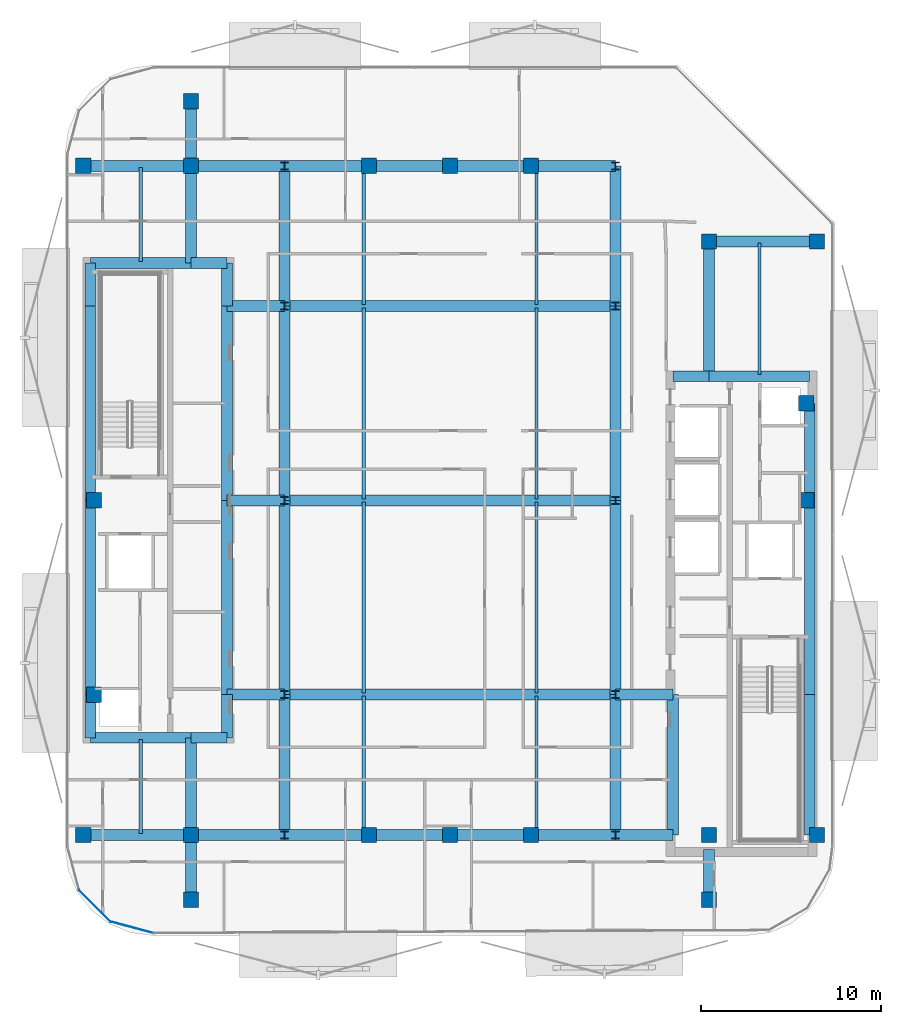
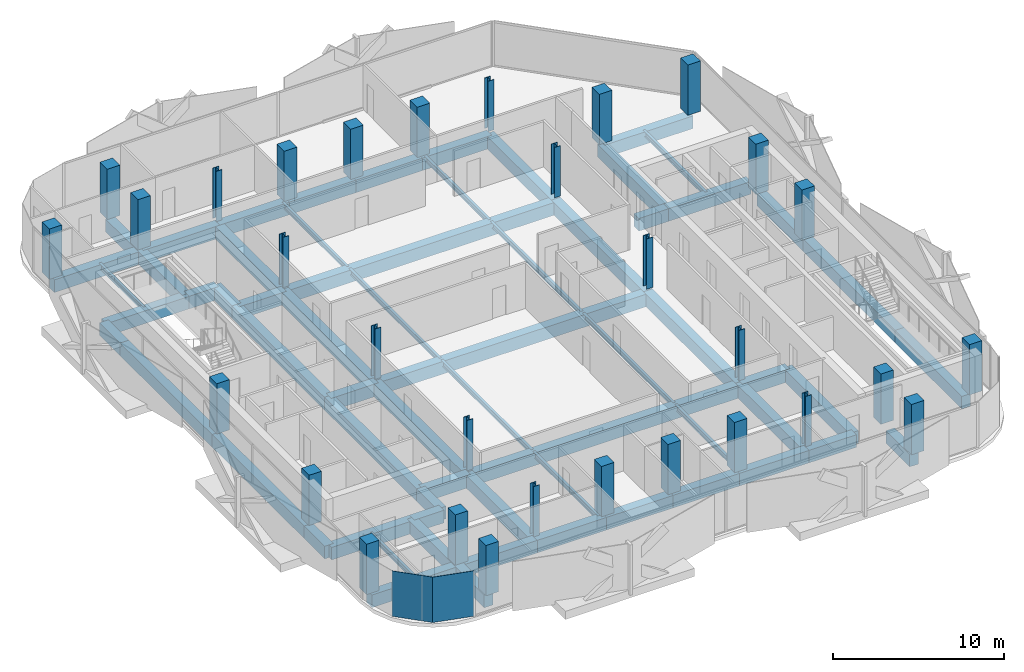
# One storey, part 1 of 15: 64 beams, 31 columns, 2 plates.
"""IFC4 building model written with IfcOpenShell, lengths in metres."""

from ifc_helpers import new_model, si_unit, direction, frame, origin, origin_2d, place, context, subcontext, project, spatial, rectangle, i_section, extrude, material, layer, layer_set, material_profile, profile_set, type_object, element, save


model = new_model("IFC4")

# Units and contexts
model_context = context("Model", 3, precision=1e-05, world=origin(), true_north=direction((0.0, 1.0)))
body_context = subcontext(model_context, "Body", "Model", "MODEL_VIEW")
ifc_project = project(units=[si_unit("LENGTHUNIT", "METRE"), si_unit("AREAUNIT", "SQUARE_METRE"), si_unit("VOLUMEUNIT", "CUBIC_METRE"), si_unit("PLANEANGLEUNIT", "RADIAN"), si_unit("MASSUNIT", "GRAM", prefix="KILO")], contexts=[model_context])

# Site, building, storey
site_placement = place(None, origin())
site = spatial("IfcSite", under=ifc_project, at=site_placement, CompositionType="ELEMENT")
building_placement = place(site_placement, origin())
building = spatial("IfcBuilding", under=site, at=building_placement, Name="Khairoan Windgate Tower", CompositionType="ELEMENT")
storey_placement = place(building_placement, frame((0.0, 0.0, 269.199951171875)))
storey = spatial("IfcBuildingStorey", under=building, at=storey_placement, Name="L64", CompositionType="ELEMENT", Elevation=269.199951171875)

# Columns
ifc_material_1 = material(Name="Concrete C50/60", Category="concrete")
ifc_material_profile_1 = material_profile(ifc_material_1, rectangle(XDim=0.85009765625, YDim=0.85009765625, at=origin_2d()))
ifc_profile_set_1 = profile_set([ifc_material_profile_1], Name="Concrete C50/60")
column_type_1 = type_object("IfcColumnType", Name="Column C-T5 RC850x850", PredefinedType="COLUMN", material=ifc_profile_set_1)
for number, where, z_axis, x_axis, name in (
    (1, (-20.39990234375, -18.60009765625, 0.0), (0.0, 0.0, 1.0), (1.0, 0.0, 0.0), "Column L64-11"),
    (2, (-20.39990234375, 18.60009765625, 0.0), (0.0, 0.0, 1.0), (1.0, 0.0, 0.0), "Column L64-12"),
    (3, (20.39990234375, -18.60009765625, 0.0), (0.0, 0.0, 1.0), (1.0, 0.0, 0.0), "Column L64-13"),
    (4, (20.39990234375, 14.39990234375, 0.0), (0.0, 0.0, 1.0), (1.0, 0.0, 0.0), "Column L64-14"),
    (5, (-14.39990234375, -18.60009765625, 0.0), (0.0, 0.0, 1.0), (1.0, 0.0, 0.0), "Column L64-15"),
    (6, (-14.39990234375, 18.60009765625, 0.0), (0.0, 0.0, 1.0), (1.0, 0.0, 0.0), "Column L64-16"),
    (7, (14.39990234375, -18.60009765625, 0.0), (0.0, 0.0, 1.0), (1.0, 0.0, 0.0), "Column L64-17"),
    (8, (14.39990234375, 14.39990234375, 0.0), (0.0, 0.0, 1.0), (1.0, 0.0, 0.0), "Column L64-18"),
    (9, (-4.5, -18.60009765625, 0.0), (0.0, 0.0, 1.0), (1.0, 0.0, 0.0), "Column L64-19"),
    (10, (0.0, -18.60009765625, 0.0), (0.0, 0.0, 1.0), (1.0, 0.0, 0.0), "Column L64-20"),
    (11, (4.5, -18.60009765625, 0.0), (0.0, 0.0, 1.0), (1.0, 0.0, 0.0), "Column L64-21"),
    (12, (-4.5, 18.60009765625, 0.0), (0.0, 0.0, 1.0), (1.0, 0.0, 0.0), "Column L64-22"),
    (13, (0.0, 18.60009765625, 0.0), (0.0, 0.0, 1.0), (1.0, 0.0, 0.0), "Column L64-23"),
    (14, (4.5, 18.60009765625, 0.0), (0.0, 0.0, 1.0), (1.0, 0.0, 0.0), "Column L64-24"),
    (15, (-19.800048828125, -10.800048828125, 0.0), (0.0, 0.0, 1.0), (1.0, 0.0, 0.0), "Column L64-25"),
    (16, (-19.800048828125, 0.0, 0.0), (0.0, 0.0, 1.0), (1.0, 0.0, 0.0), "Column L64-26"),
    (17, (19.800048828125, 0.0, 0.0), (0.0, 0.0, 1.0), (1.0, 0.0, 0.0), "Column L64-27"),
    (18, (19.800048828125, 5.39990234375, 0.0), (0.0, 0.0, 1.0), (1.0, 0.0, 0.0), "Column L64-28"),
    (19, (-14.39990234375, -22.199951171875, 0.0), (0.0, 0.0, 1.0), (1.0, 0.0, 0.0), "Column L64-29"),
    (20, (-14.39990234375, 22.199951171875, 0.0), (0.0, 0.0, 1.0), (1.0, 0.0, 0.0), "Column L64-30"),
    (21, (14.39990234375, -22.199951171875, 0.0), (0.0, 0.0, 1.0), (1.0, 0.0, 0.0), "Column L64-31"),
):
    element("IfcColumn", number, at=place(storey_placement, frame(where, z_axis=z_axis, x_axis=x_axis)), inside=storey, type_object=column_type_1, Name=name, PredefinedType="COLUMN", context=body_context, shape_type="SweptSolid", body=[
        extrude(rectangle(XDim=0.85009765625, YDim=0.85009765625, at=origin_2d()), origin(), (0.0, 0.0, 1.0), 3.60009765625),
    ])
ifc_material_2 = material(Name="Steel S355", Category="steel")
ifc_material_profile_2 = material_profile(ifc_material_2, i_section(OverallWidth=0.406982421875, OverallDepth=0.427978515625, WebThickness=0.02001953125, FlangeThickness=0.034912109375, FilletRadius=0.02197265625, at=origin_2d()))
ifc_profile_set_2 = profile_set([ifc_material_profile_2], Name="Steel S355")
column_type_2 = type_object("IfcColumnType", Name="Steel Column SC3 H428x407x20x35", PredefinedType="COLUMN", material=ifc_profile_set_2)
for number, where, z_axis, x_axis, name in (
    (22, (-9.199951171875, -18.60009765625, 0.0), (0.0, 0.0, 1.0), (1.0, 0.0, 0.0), "Column L64-01"),
    (23, (-9.199951171875, -10.800048828125, 0.0), (0.0, 0.0, 1.0), (1.0, 0.0, 0.0), "Column L64-02"),
    (24, (-9.199951171875, 0.0, 0.0), (0.0, 0.0, 1.0), (1.0, 0.0, 0.0), "Column L64-03"),
    (25, (-9.199951171875, 10.800048828125, 0.0), (0.0, 0.0, 1.0), (1.0, 0.0, 0.0), "Column L64-04"),
    (26, (-9.199951171875, 18.60009765625, 0.0), (0.0, 0.0, 1.0), (1.0, 0.0, 0.0), "Column L64-05"),
    (27, (9.199951171875, -18.60009765625, 0.0), (0.0, 0.0, 1.0), (1.0, 0.0, 0.0), "Column L64-06"),
    (28, (9.199951171875, -10.800048828125, 0.0), (0.0, 0.0, 1.0), (1.0, 0.0, 0.0), "Column L64-07"),
    (29, (9.199951171875, 0.0, 0.0), (0.0, 0.0, 1.0), (1.0, 0.0, 0.0), "Column L64-08"),
    (30, (9.199951171875, 10.800048828125, 0.0), (0.0, 0.0, 1.0), (1.0, 0.0, 0.0), "Column L64-09"),
    (31, (9.199951171875, 18.60009765625, 0.0), (0.0, 0.0, 1.0), (1.0, 0.0, 0.0), "Column L64-10"),
):
    element("IfcColumn", number, at=place(storey_placement, frame(where, z_axis=z_axis, x_axis=x_axis)), inside=storey, type_object=column_type_2, Name=name, PredefinedType="COLUMN", context=body_context, shape_type="SweptSolid", body=[
        extrude(i_section(OverallWidth=0.406982421875, OverallDepth=0.427978515625, WebThickness=0.02001953125, FlangeThickness=0.034912109375, FilletRadius=0.02197265625, at=origin_2d()), origin(), (0.0, 0.0, 1.0), 3.60009765625),
    ])

# Beams
ifc_material_3 = material(Name="Concrete C50/60", Category="concrete")
ifc_material_profile_3 = material_profile(ifc_material_3, rectangle(XDim=0.60009765625, YDim=0.89990234375, at=origin_2d()))
ifc_profile_set_3 = profile_set([ifc_material_profile_3], Name="Concrete C50/60")
beam_type_1 = type_object("IfcBeamType", Name="Beam B-RC1 RC600x900", PredefinedType="BEAM", material=ifc_profile_set_3)
beam_1_placement = place(storey_placement, frame((-20.39990234375, -18.60009765625, -0.7099609375), z_axis=(1.0, 0.0, 0.0), x_axis=(0.0, 1.0, 0.0)))
element("IfcBeam", 32, at=beam_1_placement, inside=storey, type_object=beam_type_1, Name="L64 E-W Primary Girder 01", PredefinedType="BEAM", context=body_context, shape_type="SweptSolid", body=[
    extrude(rectangle(XDim=0.60009765625, YDim=0.89990234375, at=origin_2d()), origin(), (0.0, 0.0, 1.0), 6.0),
])
beam_2_placement = place(storey_placement, frame((-14.39990234375, -18.60009765625, -0.7099609375), z_axis=(1.0, 0.0, 0.0), x_axis=(0.0, 1.0, 0.0)))
element("IfcBeam", 33, at=beam_2_placement, inside=storey, type_object=beam_type_1, Name="L64 E-W Primary Girder 02", PredefinedType="BEAM", context=body_context, shape_type="SweptSolid", body=[
    extrude(rectangle(XDim=0.60009765625, YDim=0.89990234375, at=origin_2d()), origin(), (0.0, 0.0, 1.0), 5.199951171875),
])
beam_3_placement = place(storey_placement, frame((-9.199951171875, -18.60009765625, -0.7099609375), z_axis=(1.0, 0.0, 0.0), x_axis=(0.0, 1.0, 0.0)))
element("IfcBeam", 34, at=beam_3_placement, inside=storey, type_object=beam_type_1, Name="L64 E-W Primary Girder 03", PredefinedType="BEAM", context=body_context, shape_type="SweptSolid", body=[
    extrude(rectangle(XDim=0.60009765625, YDim=0.89990234375, at=origin_2d()), origin(), (0.0, 0.0, 1.0), 4.699951171875),
])
for number, where, z_axis, x_axis, name in (
    (35, (-4.5, -18.60009765625, -0.7099609375), (1.0, 0.0, 0.0), (0.0, 1.0, 0.0), "L64 E-W Primary Girder 04"),
    (36, (0.0, -18.60009765625, -0.7099609375), (1.0, 0.0, 0.0), (0.0, 1.0, 0.0), "L64 E-W Primary Girder 05"),
):
    element("IfcBeam", number, at=place(storey_placement, frame(where, z_axis=z_axis, x_axis=x_axis)), inside=storey, type_object=beam_type_1, Name=name, PredefinedType="BEAM", context=body_context, shape_type="SweptSolid", body=[
        extrude(rectangle(XDim=0.60009765625, YDim=0.89990234375, at=origin_2d()), origin(), (0.0, 0.0, 1.0), 4.5),
    ])
beam_4_placement = place(storey_placement, frame((4.5, -18.60009765625, -0.7099609375), z_axis=(1.0, 0.0, 0.0), x_axis=(0.0, 1.0, 0.0)))
element("IfcBeam", 37, at=beam_4_placement, inside=storey, type_object=beam_type_1, Name="L64 E-W Primary Girder 06", PredefinedType="BEAM", context=body_context, shape_type="SweptSolid", body=[
    extrude(rectangle(XDim=0.60009765625, YDim=0.89990234375, at=origin_2d()), origin(), (0.0, 0.0, 1.0), 4.699951171875),
])
beam_5_placement = place(storey_placement, frame((9.199951171875, -18.60009765625, -0.7099609375), z_axis=(1.0, 0.0, 0.0), x_axis=(0.0, 1.0, 0.0)))
element("IfcBeam", 38, at=beam_5_placement, inside=storey, type_object=beam_type_1, Name="L64 E-W Primary Girder 07", PredefinedType="BEAM", context=body_context, shape_type="SweptSolid", body=[
    extrude(rectangle(XDim=0.60009765625, YDim=0.89990234375, at=origin_2d()), origin(), (0.0, 0.0, 1.0), 3.199951171875),
])
beam_6_placement = place(storey_placement, frame((-20.0, -13.199951171875, -0.7099609375), z_axis=(1.0, 0.0, 0.0), x_axis=(0.0, 1.0, 0.0)))
element("IfcBeam", 39, at=beam_6_placement, inside=storey, type_object=beam_type_1, Name="L64 E-W Primary Girder 08", PredefinedType="BEAM", context=body_context, shape_type="SweptSolid", body=[
    extrude(rectangle(XDim=0.60009765625, YDim=0.89990234375, at=origin_2d()), origin(), (0.0, 0.0, 1.0), 5.60009765625),
])
beam_7_placement = place(storey_placement, frame((-14.39990234375, -13.199951171875, -0.7099609375), z_axis=(1.0, 0.0, 0.0), x_axis=(0.0, 1.0, 0.0)))
element("IfcBeam", 40, at=beam_7_placement, inside=storey, type_object=beam_type_1, Name="L64 E-W Primary Girder 09", PredefinedType="BEAM", context=body_context, shape_type="SweptSolid", body=[
    extrude(rectangle(XDim=0.60009765625, YDim=0.89990234375, at=origin_2d()), origin(), (0.0, 0.0, 1.0), 2.0),
])
beam_8_placement = place(storey_placement, frame((-12.39990234375, -10.800048828125, -0.7099609375), z_axis=(1.0, 0.0, 0.0), x_axis=(0.0, 1.0, 0.0)))
element("IfcBeam", 41, at=beam_8_placement, inside=storey, type_object=beam_type_1, Name="L64 E-W Primary Girder 10", PredefinedType="BEAM", context=body_context, shape_type="SweptSolid", body=[
    extrude(rectangle(XDim=0.60009765625, YDim=0.89990234375, at=origin_2d()), origin(), (0.0, 0.0, 1.0), 3.199951171875),
])
beam_9_placement = place(storey_placement, frame((-9.199951171875, -10.800048828125, -0.7099609375), z_axis=(1.0, 0.0, 0.0), x_axis=(0.0, 1.0, 0.0)))
element("IfcBeam", 42, at=beam_9_placement, inside=storey, type_object=beam_type_1, Name="L64 E-W Primary Girder 11", PredefinedType="BEAM", context=body_context, shape_type="SweptSolid", body=[
    extrude(rectangle(XDim=0.60009765625, YDim=0.89990234375, at=origin_2d()), origin(), (0.0, 0.0, 1.0), 18.39990234375),
])
for number, where, z_axis, x_axis, name in (
    (43, (9.199951171875, -10.800048828125, -0.7099609375), (1.0, 0.0, 0.0), (0.0, 1.0, 0.0), "L64 E-W Primary Girder 12"),
    (44, (-12.39990234375, 0.0, -0.7099609375), (1.0, 0.0, 0.0), (0.0, 1.0, 0.0), "L64 E-W Primary Girder 13"),
):
    element("IfcBeam", number, at=place(storey_placement, frame(where, z_axis=z_axis, x_axis=x_axis)), inside=storey, type_object=beam_type_1, Name=name, PredefinedType="BEAM", context=body_context, shape_type="SweptSolid", body=[
        extrude(rectangle(XDim=0.60009765625, YDim=0.89990234375, at=origin_2d()), origin(), (0.0, 0.0, 1.0), 3.199951171875),
    ])
beam_10_placement = place(storey_placement, frame((-9.199951171875, 0.0, -0.7099609375), z_axis=(1.0, 0.0, 0.0), x_axis=(0.0, 1.0, 0.0)))
element("IfcBeam", 45, at=beam_10_placement, inside=storey, type_object=beam_type_1, Name="L64 E-W Primary Girder 14", PredefinedType="BEAM", context=body_context, shape_type="SweptSolid", body=[
    extrude(rectangle(XDim=0.60009765625, YDim=0.89990234375, at=origin_2d()), origin(), (0.0, 0.0, 1.0), 18.39990234375),
])
beam_11_placement = place(storey_placement, frame((12.39990234375, 6.89990234375, -0.7099609375), z_axis=(1.0, 0.0, 0.0), x_axis=(0.0, 1.0, 0.0)))
element("IfcBeam", 46, at=beam_11_placement, inside=storey, type_object=beam_type_1, Name="L64 E-W Primary Girder 15", PredefinedType="BEAM", context=body_context, shape_type="SweptSolid", body=[
    extrude(rectangle(XDim=0.60009765625, YDim=0.89990234375, at=origin_2d()), origin(), (0.0, 0.0, 1.0), 2.0),
])
beam_12_placement = place(storey_placement, frame((14.39990234375, 6.89990234375, -0.7099609375), z_axis=(1.0, 0.0, 0.0), x_axis=(0.0, 1.0, 0.0)))
element("IfcBeam", 47, at=beam_12_placement, inside=storey, type_object=beam_type_1, Name="L64 E-W Primary Girder 16", PredefinedType="BEAM", context=body_context, shape_type="SweptSolid", body=[
    extrude(rectangle(XDim=0.60009765625, YDim=0.89990234375, at=origin_2d()), origin(), (0.0, 0.0, 1.0), 5.60009765625),
])
beam_13_placement = place(storey_placement, frame((-12.39990234375, 10.800048828125, -0.7099609375), z_axis=(1.0, 0.0, 0.0), x_axis=(0.0, 1.0, 0.0)))
element("IfcBeam", 48, at=beam_13_placement, inside=storey, type_object=beam_type_1, Name="L64 E-W Primary Girder 17", PredefinedType="BEAM", context=body_context, shape_type="SweptSolid", body=[
    extrude(rectangle(XDim=0.60009765625, YDim=0.89990234375, at=origin_2d()), origin(), (0.0, 0.0, 1.0), 3.199951171875),
])
beam_14_placement = place(storey_placement, frame((-9.199951171875, 10.800048828125, -0.7099609375), z_axis=(1.0, 0.0, 0.0), x_axis=(0.0, 1.0, 0.0)))
element("IfcBeam", 49, at=beam_14_placement, inside=storey, type_object=beam_type_1, Name="L64 E-W Primary Girder 18", PredefinedType="BEAM", context=body_context, shape_type="SweptSolid", body=[
    extrude(rectangle(XDim=0.60009765625, YDim=0.89990234375, at=origin_2d()), origin(), (0.0, 0.0, 1.0), 18.39990234375),
])
beam_15_placement = place(storey_placement, frame((-20.0, 13.199951171875, -0.7099609375), z_axis=(1.0, 0.0, 0.0), x_axis=(0.0, 1.0, 0.0)))
element("IfcBeam", 50, at=beam_15_placement, inside=storey, type_object=beam_type_1, Name="L64 E-W Primary Girder 19", PredefinedType="BEAM", context=body_context, shape_type="SweptSolid", body=[
    extrude(rectangle(XDim=0.60009765625, YDim=0.89990234375, at=origin_2d()), origin(), (0.0, 0.0, 1.0), 5.60009765625),
])
beam_16_placement = place(storey_placement, frame((-14.39990234375, 13.199951171875, -0.7099609375), z_axis=(1.0, 0.0, 0.0), x_axis=(0.0, 1.0, 0.0)))
element("IfcBeam", 51, at=beam_16_placement, inside=storey, type_object=beam_type_1, Name="L64 E-W Primary Girder 20", PredefinedType="BEAM", context=body_context, shape_type="SweptSolid", body=[
    extrude(rectangle(XDim=0.60009765625, YDim=0.89990234375, at=origin_2d()), origin(), (0.0, 0.0, 1.0), 2.0),
])
for number, where, z_axis, x_axis, name in (
    (52, (14.39990234375, 14.39990234375, -0.7099609375), (1.0, 0.0, 0.0), (0.0, 1.0, 0.0), "L64 E-W Primary Girder 21"),
    (53, (-20.39990234375, 18.60009765625, -0.7099609375), (1.0, 0.0, 0.0), (0.0, 1.0, 0.0), "L64 E-W Primary Girder 22"),
):
    element("IfcBeam", number, at=place(storey_placement, frame(where, z_axis=z_axis, x_axis=x_axis)), inside=storey, type_object=beam_type_1, Name=name, PredefinedType="BEAM", context=body_context, shape_type="SweptSolid", body=[
        extrude(rectangle(XDim=0.60009765625, YDim=0.89990234375, at=origin_2d()), origin(), (0.0, 0.0, 1.0), 6.0),
    ])
beam_17_placement = place(storey_placement, frame((-14.39990234375, 18.60009765625, -0.7099609375), z_axis=(1.0, 0.0, 0.0), x_axis=(0.0, 1.0, 0.0)))
element("IfcBeam", 54, at=beam_17_placement, inside=storey, type_object=beam_type_1, Name="L64 E-W Primary Girder 23", PredefinedType="BEAM", context=body_context, shape_type="SweptSolid", body=[
    extrude(rectangle(XDim=0.60009765625, YDim=0.89990234375, at=origin_2d()), origin(), (0.0, 0.0, 1.0), 5.199951171875),
])
beam_18_placement = place(storey_placement, frame((-9.199951171875, 18.60009765625, -0.7099609375), z_axis=(1.0, 0.0, 0.0), x_axis=(0.0, 1.0, 0.0)))
element("IfcBeam", 55, at=beam_18_placement, inside=storey, type_object=beam_type_1, Name="L64 E-W Primary Girder 24", PredefinedType="BEAM", context=body_context, shape_type="SweptSolid", body=[
    extrude(rectangle(XDim=0.60009765625, YDim=0.89990234375, at=origin_2d()), origin(), (0.0, 0.0, 1.0), 4.699951171875),
])
for number, where, z_axis, x_axis, name in (
    (56, (-4.5, 18.60009765625, -0.7099609375), (1.0, 0.0, 0.0), (0.0, 1.0, 0.0), "L64 E-W Primary Girder 25"),
    (57, (0.0, 18.60009765625, -0.7099609375), (1.0, 0.0, 0.0), (0.0, 1.0, 0.0), "L64 E-W Primary Girder 26"),
):
    element("IfcBeam", number, at=place(storey_placement, frame(where, z_axis=z_axis, x_axis=x_axis)), inside=storey, type_object=beam_type_1, Name=name, PredefinedType="BEAM", context=body_context, shape_type="SweptSolid", body=[
        extrude(rectangle(XDim=0.60009765625, YDim=0.89990234375, at=origin_2d()), origin(), (0.0, 0.0, 1.0), 4.5),
    ])
beam_19_placement = place(storey_placement, frame((4.5, 18.60009765625, -0.7099609375), z_axis=(1.0, 0.0, 0.0), x_axis=(0.0, 1.0, 0.0)))
element("IfcBeam", 58, at=beam_19_placement, inside=storey, type_object=beam_type_1, Name="L64 E-W Primary Girder 27", PredefinedType="BEAM", context=body_context, shape_type="SweptSolid", body=[
    extrude(rectangle(XDim=0.60009765625, YDim=0.89990234375, at=origin_2d()), origin(), (0.0, 0.0, 1.0), 4.699951171875),
])
beam_20_placement = place(storey_placement, frame((-20.0, -13.199951171875, -0.7099609375), z_axis=(0.0, 1.0, 0.0), x_axis=(-1.0, 0.0, 0.0)))
element("IfcBeam", 59, at=beam_20_placement, inside=storey, type_object=beam_type_1, Name="L64 N-S Primary Beam 28", PredefinedType="BEAM", context=body_context, shape_type="SweptSolid", body=[
    extrude(rectangle(XDim=0.60009765625, YDim=0.89990234375, at=origin_2d()), origin(), (0.0, 0.0, 1.0), 2.39990234375),
])
for number, where, z_axis, x_axis, name in (
    (60, (-20.0, -10.800048828125, -0.7099609375), (0.0, 1.0, 0.0), (-1.0, 0.0, 0.0), "L64 N-S Primary Beam 29"),
    (61, (-20.0, 0.0, -0.7099609375), (0.0, 1.0, 0.0), (-1.0, 0.0, 0.0), "L64 N-S Primary Beam 30"),
):
    element("IfcBeam", number, at=place(storey_placement, frame(where, z_axis=z_axis, x_axis=x_axis)), inside=storey, type_object=beam_type_1, Name=name, PredefinedType="BEAM", context=body_context, shape_type="SweptSolid", body=[
        extrude(rectangle(XDim=0.60009765625, YDim=0.89990234375, at=origin_2d()), origin(), (0.0, 0.0, 1.0), 10.800048828125),
    ])
beam_21_placement = place(storey_placement, frame((-20.0, 10.800048828125, -0.7099609375), z_axis=(0.0, 1.0, 0.0), x_axis=(-1.0, 0.0, 0.0)))
element("IfcBeam", 62, at=beam_21_placement, inside=storey, type_object=beam_type_1, Name="L64 N-S Primary Beam 31", PredefinedType="BEAM", context=body_context, shape_type="SweptSolid", body=[
    extrude(rectangle(XDim=0.60009765625, YDim=0.89990234375, at=origin_2d()), origin(), (0.0, 0.0, 1.0), 2.39990234375),
])
beam_22_placement = place(storey_placement, frame((-14.39990234375, -22.199951171875, -0.7099609375), z_axis=(0.0, 1.0, 0.0), x_axis=(-1.0, 0.0, 0.0)))
element("IfcBeam", 63, at=beam_22_placement, inside=storey, type_object=beam_type_1, Name="L64 N-S Primary Beam 32", PredefinedType="BEAM", context=body_context, shape_type="SweptSolid", body=[
    extrude(rectangle(XDim=0.60009765625, YDim=0.89990234375, at=origin_2d()), origin(), (0.0, 0.0, 1.0), 3.599853515625),
])
for number, where, z_axis, x_axis, name in (
    (64, (-14.39990234375, -18.60009765625, -0.7099609375), (0.0, 1.0, 0.0), (-1.0, 0.0, 0.0), "L64 N-S Primary Beam 33"),
    (65, (-14.39990234375, 13.199951171875, -0.7099609375), (0.0, 1.0, 0.0), (-1.0, 0.0, 0.0), "L64 N-S Primary Beam 34"),
):
    element("IfcBeam", number, at=place(storey_placement, frame(where, z_axis=z_axis, x_axis=x_axis)), inside=storey, type_object=beam_type_1, Name=name, PredefinedType="BEAM", context=body_context, shape_type="SweptSolid", body=[
        extrude(rectangle(XDim=0.60009765625, YDim=0.89990234375, at=origin_2d()), origin(), (0.0, 0.0, 1.0), 5.400146484375),
    ])
beam_23_placement = place(storey_placement, frame((-14.39990234375, 18.60009765625, -0.7099609375), z_axis=(0.0, 1.0, 0.0), x_axis=(-1.0, 0.0, 0.0)))
element("IfcBeam", 66, at=beam_23_placement, inside=storey, type_object=beam_type_1, Name="L64 N-S Primary Beam 35", PredefinedType="BEAM", context=body_context, shape_type="SweptSolid", body=[
    extrude(rectangle(XDim=0.60009765625, YDim=0.89990234375, at=origin_2d()), origin(), (0.0, 0.0, 1.0), 3.599853515625),
])
beam_24_placement = place(storey_placement, frame((-12.39990234375, -13.199951171875, -0.7099609375), z_axis=(0.0, 1.0, 0.0), x_axis=(-1.0, 0.0, 0.0)))
element("IfcBeam", 67, at=beam_24_placement, inside=storey, type_object=beam_type_1, Name="L64 N-S Primary Beam 36", PredefinedType="BEAM", context=body_context, shape_type="SweptSolid", body=[
    extrude(rectangle(XDim=0.60009765625, YDim=0.89990234375, at=origin_2d()), origin(), (0.0, 0.0, 1.0), 2.39990234375),
])
for number, where, z_axis, x_axis, name in (
    (68, (-12.39990234375, -10.800048828125, -0.7099609375), (0.0, 1.0, 0.0), (-1.0, 0.0, 0.0), "L64 N-S Primary Beam 37"),
    (69, (-12.39990234375, 0.0, -0.7099609375), (0.0, 1.0, 0.0), (-1.0, 0.0, 0.0), "L64 N-S Primary Beam 38"),
):
    element("IfcBeam", number, at=place(storey_placement, frame(where, z_axis=z_axis, x_axis=x_axis)), inside=storey, type_object=beam_type_1, Name=name, PredefinedType="BEAM", context=body_context, shape_type="SweptSolid", body=[
        extrude(rectangle(XDim=0.60009765625, YDim=0.89990234375, at=origin_2d()), origin(), (0.0, 0.0, 1.0), 10.800048828125),
    ])
beam_25_placement = place(storey_placement, frame((-12.39990234375, 10.800048828125, -0.7099609375), z_axis=(0.0, 1.0, 0.0), x_axis=(-1.0, 0.0, 0.0)))
element("IfcBeam", 70, at=beam_25_placement, inside=storey, type_object=beam_type_1, Name="L64 N-S Primary Beam 39", PredefinedType="BEAM", context=body_context, shape_type="SweptSolid", body=[
    extrude(rectangle(XDim=0.60009765625, YDim=0.89990234375, at=origin_2d()), origin(), (0.0, 0.0, 1.0), 2.39990234375),
])
beam_26_placement = place(storey_placement, frame((-9.199951171875, -18.60009765625, -0.7099609375), z_axis=(0.0, 1.0, 0.0), x_axis=(-1.0, 0.0, 0.0)))
element("IfcBeam", 71, at=beam_26_placement, inside=storey, type_object=beam_type_1, Name="L64 N-S Primary Beam 40", PredefinedType="BEAM", context=body_context, shape_type="SweptSolid", body=[
    extrude(rectangle(XDim=0.60009765625, YDim=0.89990234375, at=origin_2d()), origin(), (0.0, 0.0, 1.0), 7.800048828125),
])
for number, where, z_axis, x_axis, name in (
    (72, (-9.199951171875, -10.800048828125, -0.7099609375), (0.0, 1.0, 0.0), (-1.0, 0.0, 0.0), "L64 N-S Primary Beam 41"),
    (73, (-9.199951171875, 0.0, -0.7099609375), (0.0, 1.0, 0.0), (-1.0, 0.0, 0.0), "L64 N-S Primary Beam 42"),
):
    element("IfcBeam", number, at=place(storey_placement, frame(where, z_axis=z_axis, x_axis=x_axis)), inside=storey, type_object=beam_type_1, Name=name, PredefinedType="BEAM", context=body_context, shape_type="SweptSolid", body=[
        extrude(rectangle(XDim=0.60009765625, YDim=0.89990234375, at=origin_2d()), origin(), (0.0, 0.0, 1.0), 10.800048828125),
    ])
for number, where, z_axis, x_axis, name in (
    (74, (-9.199951171875, 10.800048828125, -0.7099609375), (0.0, 1.0, 0.0), (-1.0, 0.0, 0.0), "L64 N-S Primary Beam 43"),
    (75, (9.199951171875, -18.60009765625, -0.7099609375), (0.0, 1.0, 0.0), (-1.0, 0.0, 0.0), "L64 N-S Primary Beam 44"),
):
    element("IfcBeam", number, at=place(storey_placement, frame(where, z_axis=z_axis, x_axis=x_axis)), inside=storey, type_object=beam_type_1, Name=name, PredefinedType="BEAM", context=body_context, shape_type="SweptSolid", body=[
        extrude(rectangle(XDim=0.60009765625, YDim=0.89990234375, at=origin_2d()), origin(), (0.0, 0.0, 1.0), 7.800048828125),
    ])
for number, where, z_axis, x_axis, name in (
    (76, (9.199951171875, -10.800048828125, -0.7099609375), (0.0, 1.0, 0.0), (-1.0, 0.0, 0.0), "L64 N-S Primary Beam 45"),
    (77, (9.199951171875, 0.0, -0.7099609375), (0.0, 1.0, 0.0), (-1.0, 0.0, 0.0), "L64 N-S Primary Beam 46"),
):
    element("IfcBeam", number, at=place(storey_placement, frame(where, z_axis=z_axis, x_axis=x_axis)), inside=storey, type_object=beam_type_1, Name=name, PredefinedType="BEAM", context=body_context, shape_type="SweptSolid", body=[
        extrude(rectangle(XDim=0.60009765625, YDim=0.89990234375, at=origin_2d()), origin(), (0.0, 0.0, 1.0), 10.800048828125),
    ])
for number, where, z_axis, x_axis, name in (
    (78, (9.199951171875, 10.800048828125, -0.7099609375), (0.0, 1.0, 0.0), (-1.0, 0.0, 0.0), "L64 N-S Primary Beam 47"),
    (79, (12.39990234375, -18.60009765625, -0.7099609375), (0.0, 1.0, 0.0), (-1.0, 0.0, 0.0), "L64 N-S Primary Beam 48"),
):
    element("IfcBeam", number, at=place(storey_placement, frame(where, z_axis=z_axis, x_axis=x_axis)), inside=storey, type_object=beam_type_1, Name=name, PredefinedType="BEAM", context=body_context, shape_type="SweptSolid", body=[
        extrude(rectangle(XDim=0.60009765625, YDim=0.89990234375, at=origin_2d()), origin(), (0.0, 0.0, 1.0), 7.800048828125),
    ])
beam_27_placement = place(storey_placement, frame((14.39990234375, -22.199951171875, -0.7099609375), z_axis=(0.0, 1.0, 0.0), x_axis=(-1.0, 0.0, 0.0)))
element("IfcBeam", 80, at=beam_27_placement, inside=storey, type_object=beam_type_1, Name="L64 N-S Primary Beam 49", PredefinedType="BEAM", context=body_context, shape_type="SweptSolid", body=[
    extrude(rectangle(XDim=0.60009765625, YDim=0.89990234375, at=origin_2d()), origin(), (0.0, 0.0, 1.0), 2.800048828125),
])
beam_28_placement = place(storey_placement, frame((14.39990234375, 6.89990234375, -0.7099609375), z_axis=(0.0, 1.0, 0.0), x_axis=(-1.0, 0.0, 0.0)))
element("IfcBeam", 81, at=beam_28_placement, inside=storey, type_object=beam_type_1, Name="L64 N-S Primary Beam 50", PredefinedType="BEAM", context=body_context, shape_type="SweptSolid", body=[
    extrude(rectangle(XDim=0.60009765625, YDim=0.89990234375, at=origin_2d()), origin(), (0.0, 0.0, 1.0), 7.5),
])
beam_29_placement = place(storey_placement, frame((20.0, -18.60009765625, -0.7099609375), z_axis=(0.0, 1.0, 0.0), x_axis=(-1.0, 0.0, 0.0)))
element("IfcBeam", 82, at=beam_29_placement, inside=storey, type_object=beam_type_1, Name="L64 N-S Primary Beam 51", PredefinedType="BEAM", context=body_context, shape_type="SweptSolid", body=[
    extrude(rectangle(XDim=0.60009765625, YDim=0.89990234375, at=origin_2d()), origin(), (0.0, 0.0, 1.0), 7.800048828125),
])
beam_30_placement = place(storey_placement, frame((20.0, -10.800048828125, -0.7099609375), z_axis=(0.0, 1.0, 0.0), x_axis=(-1.0, 0.0, 0.0)))
element("IfcBeam", 83, at=beam_30_placement, inside=storey, type_object=beam_type_1, Name="L64 N-S Primary Beam 52", PredefinedType="BEAM", context=body_context, shape_type="SweptSolid", body=[
    extrude(rectangle(XDim=0.60009765625, YDim=0.89990234375, at=origin_2d()), origin(), (0.0, 0.0, 1.0), 10.800048828125),
])
beam_31_placement = place(storey_placement, frame((20.0, 0.0, -0.7099609375), z_axis=(0.0, 1.0, 0.0), x_axis=(-1.0, 0.0, 0.0)))
element("IfcBeam", 84, at=beam_31_placement, inside=storey, type_object=beam_type_1, Name="L64 N-S Primary Beam 53", PredefinedType="BEAM", context=body_context, shape_type="SweptSolid", body=[
    extrude(rectangle(XDim=0.60009765625, YDim=0.89990234375, at=origin_2d()), origin(), (0.0, 0.0, 1.0), 5.39990234375),
])
ifc_material_4 = material(Name="Steel S355", Category="steel")
ifc_material_profile_4 = material_profile(ifc_material_4, i_section(OverallWidth=0.175048828125, OverallDepth=0.35009765625, WebThickness=0.007080078125, FlangeThickness=0.010986328125, FilletRadius=0.013916015625, at=origin_2d()))
ifc_profile_set_4 = profile_set([ifc_material_profile_4], Name="Steel S355")
beam_type_2 = type_object("IfcBeamType", Name="Beam J-S5 H350x175x7x11", PredefinedType="JOIST", material=ifc_profile_set_4)
for number, where, z_axis, x_axis, name in (
    (85, (-17.199951171875, -18.510009765625, -0.43505859375), (0.0, 1.0, 0.0), (-1.0, 0.0, 0.0), "L64 Secondary Floor Joist 01"),
    (86, (-17.199951171875, 13.2900390625, -0.43505859375), (0.0, 1.0, 0.0), (-1.0, 0.0, 0.0), "L64 Secondary Floor Joist 02"),
):
    element("IfcBeam", number, at=place(storey_placement, frame(where, z_axis=z_axis, x_axis=x_axis)), inside=storey, type_object=beam_type_2, Name=name, PredefinedType="JOIST", context=body_context, shape_type="SweptSolid", body=[
        extrude(i_section(OverallWidth=0.175048828125, OverallDepth=0.35009765625, WebThickness=0.007080078125, FlangeThickness=0.010986328125, FilletRadius=0.013916015625, at=origin_2d()), origin(), (0.0, 0.0, 1.0), 5.219970703125),
    ])
beam_32_placement = place(storey_placement, frame((-4.800048828125, -18.510009765625, -0.43505859375), z_axis=(0.0, 1.0, 0.0), x_axis=(-1.0, 0.0, 0.0)))
element("IfcBeam", 87, at=beam_32_placement, inside=storey, type_object=beam_type_2, Name="L64 Secondary Floor Joist 03", PredefinedType="JOIST", context=body_context, shape_type="SweptSolid", body=[
    extrude(i_section(OverallWidth=0.175048828125, OverallDepth=0.35009765625, WebThickness=0.007080078125, FlangeThickness=0.010986328125, FilletRadius=0.013916015625, at=origin_2d()), origin(), (0.0, 0.0, 1.0), 7.6201171875),
])
for number, where, z_axis, x_axis, name in (
    (88, (-4.800048828125, -10.7099609375, -0.43505859375), (0.0, 1.0, 0.0), (-1.0, 0.0, 0.0), "L64 Secondary Floor Joist 04"),
    (89, (-4.800048828125, 0.090087890625, -0.43505859375), (0.0, 1.0, 0.0), (-1.0, 0.0, 0.0), "L64 Secondary Floor Joist 05"),
):
    element("IfcBeam", number, at=place(storey_placement, frame(where, z_axis=z_axis, x_axis=x_axis)), inside=storey, type_object=beam_type_2, Name=name, PredefinedType="JOIST", context=body_context, shape_type="SweptSolid", body=[
        extrude(i_section(OverallWidth=0.175048828125, OverallDepth=0.35009765625, WebThickness=0.007080078125, FlangeThickness=0.010986328125, FilletRadius=0.013916015625, at=origin_2d()), origin(), (0.0, 0.0, 1.0), 10.619873046875),
    ])
for number, where, z_axis, x_axis, name in (
    (90, (-4.800048828125, 10.889892578125, -0.43505859375), (0.0, 1.0, 0.0), (-1.0, 0.0, 0.0), "L64 Secondary Floor Joist 06"),
    (91, (4.800048828125, -18.510009765625, -0.43505859375), (0.0, 1.0, 0.0), (-1.0, 0.0, 0.0), "L64 Secondary Floor Joist 07"),
):
    element("IfcBeam", number, at=place(storey_placement, frame(where, z_axis=z_axis, x_axis=x_axis)), inside=storey, type_object=beam_type_2, Name=name, PredefinedType="JOIST", context=body_context, shape_type="SweptSolid", body=[
        extrude(i_section(OverallWidth=0.175048828125, OverallDepth=0.35009765625, WebThickness=0.007080078125, FlangeThickness=0.010986328125, FilletRadius=0.013916015625, at=origin_2d()), origin(), (0.0, 0.0, 1.0), 7.6201171875),
    ])
for number, where, z_axis, x_axis, name in (
    (92, (4.800048828125, -10.7099609375, -0.43505859375), (0.0, 1.0, 0.0), (-1.0, 0.0, 0.0), "L64 Secondary Floor Joist 08"),
    (93, (4.800048828125, 0.090087890625, -0.43505859375), (0.0, 1.0, 0.0), (-1.0, 0.0, 0.0), "L64 Secondary Floor Joist 09"),
):
    element("IfcBeam", number, at=place(storey_placement, frame(where, z_axis=z_axis, x_axis=x_axis)), inside=storey, type_object=beam_type_2, Name=name, PredefinedType="JOIST", context=body_context, shape_type="SweptSolid", body=[
        extrude(i_section(OverallWidth=0.175048828125, OverallDepth=0.35009765625, WebThickness=0.007080078125, FlangeThickness=0.010986328125, FilletRadius=0.013916015625, at=origin_2d()), origin(), (0.0, 0.0, 1.0), 10.619873046875),
    ])
beam_33_placement = place(storey_placement, frame((4.800048828125, 10.889892578125, -0.43505859375), z_axis=(0.0, 1.0, 0.0), x_axis=(-1.0, 0.0, 0.0)))
element("IfcBeam", 94, at=beam_33_placement, inside=storey, type_object=beam_type_2, Name="L64 Secondary Floor Joist 10", PredefinedType="JOIST", context=body_context, shape_type="SweptSolid", body=[
    extrude(i_section(OverallWidth=0.175048828125, OverallDepth=0.35009765625, WebThickness=0.007080078125, FlangeThickness=0.010986328125, FilletRadius=0.013916015625, at=origin_2d()), origin(), (0.0, 0.0, 1.0), 7.6201171875),
])
beam_34_placement = place(storey_placement, frame((17.199951171875, 6.989990234375, -0.43505859375), z_axis=(0.0, 1.0, 0.0), x_axis=(-1.0, 0.0, 0.0)))
element("IfcBeam", 95, at=beam_34_placement, inside=storey, type_object=beam_type_2, Name="L64 Secondary Floor Joist 11", PredefinedType="JOIST", context=body_context, shape_type="SweptSolid", body=[
    extrude(i_section(OverallWidth=0.175048828125, OverallDepth=0.35009765625, WebThickness=0.007080078125, FlangeThickness=0.010986328125, FilletRadius=0.013916015625, at=origin_2d()), origin(), (0.0, 0.0, 1.0), 7.320068359375),
])

# Plates
ifc_material_5 = material(Name="Low-E Solar Control Laminated Glass", Category="glass")
ifc_layer = layer(ifc_material_5, 0.030029296875, Name="Low-E Solar Control Laminated Glass")
ifc_layer_set = layer_set([ifc_layer], Name="Low-E Solar Control Laminated Glass")
plate_type = type_object("IfcPlateType", Name="Aerodynamic Wind-Corner Curved Glazing Plate", PredefinedType="USERDEFINED", material=ifc_layer_set)
plate_1_placement = place(storey_placement, frame((-17.68505859375, -23.740478515625, 0.0), z_axis=(0.0, 0.0, 1.0), x_axis=(-0.966061211211, 0.258313252067, 0.0)))
element("IfcPlate", 96, at=plate_1_placement, inside=storey, type_object=plate_type, Name="L64 Aerodynamic Wind-Corner Curved Glazing Panel 2", ObjectType="GLAZING PANEL", PredefinedType="USERDEFINED", context=body_context, shape_type="SweptSolid", body=[
    extrude(rectangle(XDim=2.512451171875, YDim=0.030029296875, at=origin_2d()), origin(), (0.0, 0.0, 1.0), 3.25),
])
plate_2_placement = place(storey_placement, frame((-19.750244140625, -22.55029296875, 0.0), z_axis=(0.0, 0.0, 1.0), x_axis=(-0.707106781187, 0.707106781187, 0.0)))
element("IfcPlate", 97, at=plate_2_placement, inside=storey, type_object=plate_type, Name="L64 Aerodynamic Wind-Corner Curved Glazing Panel 3", ObjectType="GLAZING PANEL", PredefinedType="USERDEFINED", context=body_context, shape_type="SweptSolid", body=[
    extrude(rectangle(XDim=2.50341796875, YDim=0.030029296875, at=origin_2d()), origin(), (0.0, 0.0, 1.0), 3.25),
])

save(model, "model.ifc")
